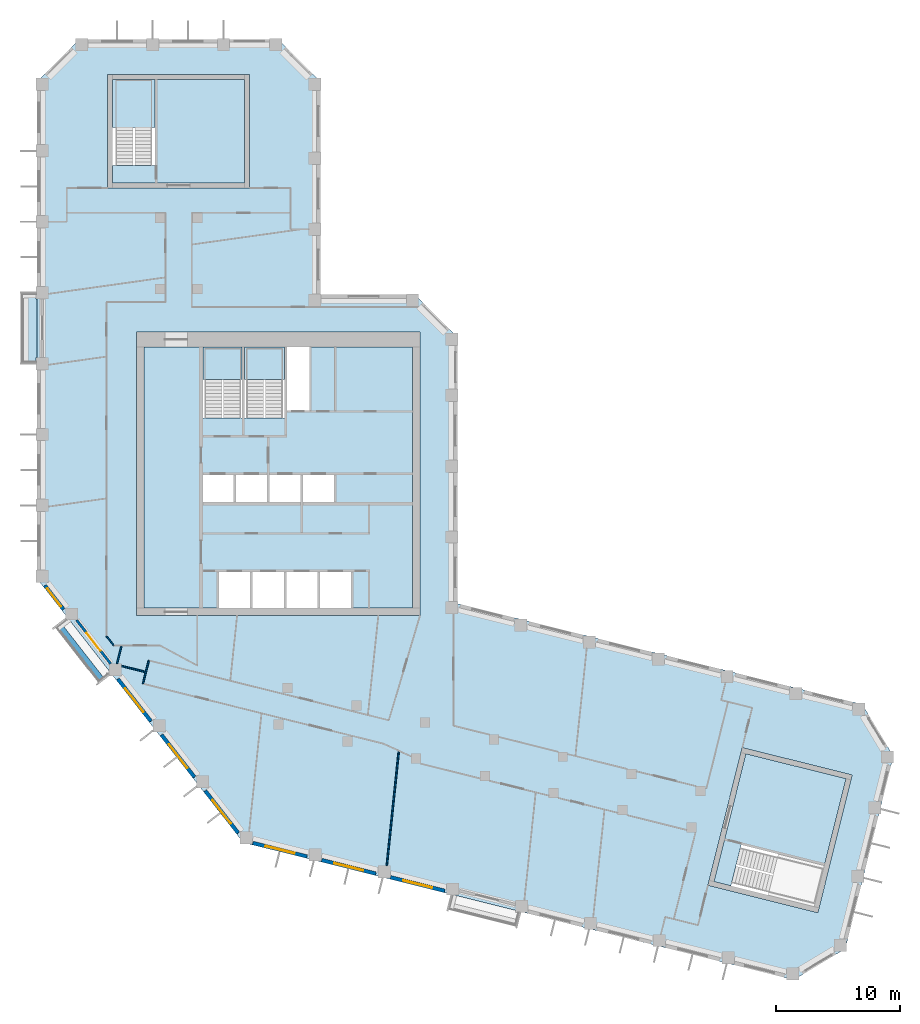
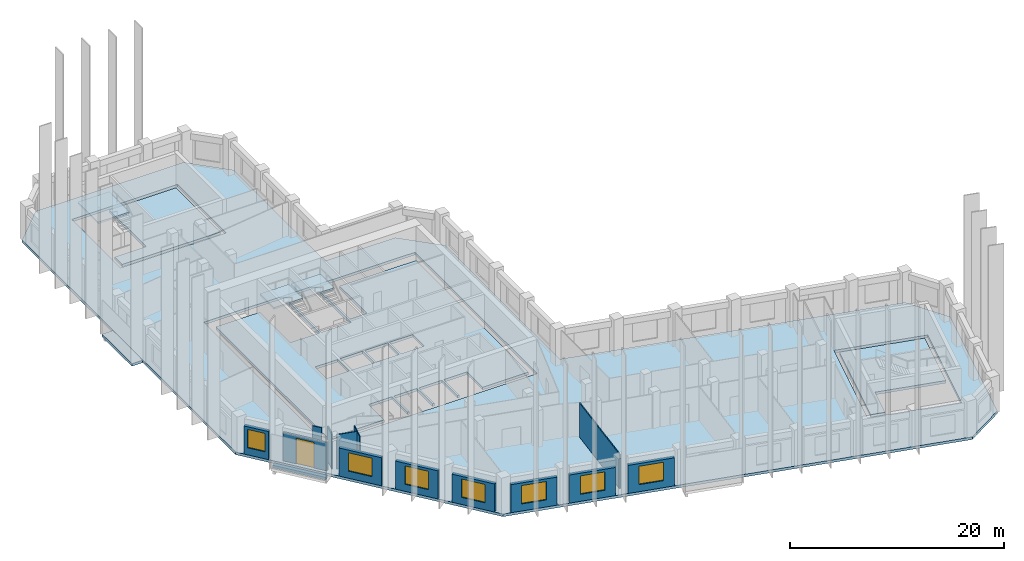
# One storey, part 2 of 9: 14 walls, 8 slabs, 7 windows, 1 door, 8 openings, 3 elements without a shape of their own.
"""IFC4 building model written with IfcOpenShell, lengths in metres."""

from ifc_helpers import new_model, si_unit, direction, frame, frame_2d, origin, place, context, subcontext, project, spatial, polyline, rectangle, outline, extrude, material, layer, layer_set, type_object, element, fill, aggregate, save


model = new_model("IFC4")

# Units and contexts
model_context = context("Model", 3, precision=1e-05, world=origin(), true_north=direction((0.0, 1.0)))
body_context = subcontext(model_context, "Body", "Model", "MODEL_VIEW")
ifc_project = project(units=[si_unit("LENGTHUNIT", "METRE"), si_unit("AREAUNIT", "SQUARE_METRE"), si_unit("VOLUMEUNIT", "CUBIC_METRE"), si_unit("PLANEANGLEUNIT", "RADIAN"), si_unit("MASSUNIT", "GRAM", prefix="KILO")], contexts=[model_context])

# Site, building, storey
site_placement = place(None, origin())
site = spatial("IfcSite", under=ifc_project, at=site_placement, CompositionType="ELEMENT")
building_placement = place(site_placement, origin())
building = spatial("IfcBuilding", under=site, at=building_placement, Name="Meshkara Civic Tower", CompositionType="ELEMENT")
storey_placement = place(building_placement, frame((0.0, 0.0, 323.39990234375)))
storey = spatial("IfcBuildingStorey", under=building, at=storey_placement, Name="L74", CompositionType="ELEMENT", Elevation=323.39990234375)

# Slabs
ifc_material_1 = material(Name="Concrete C40", Category="concrete")
ifc_layer_1 = layer(ifc_material_1, 0.300048828125)
ifc_layer_set_1 = layer_set([ifc_layer_1], Name="BALCONY SLAB")
slab_type_1 = type_object("IfcSlabType", Name="BALCONY SLAB", PredefinedType="FLOOR", material=ifc_layer_set_1)
slab_1_placement = place(storey_placement, frame((0.0, 0.0, -0.2998046875)))
element("IfcSlab", 1, at=slab_1_placement, inside=storey, type_object=slab_type_1, Name="Balcony slab", PredefinedType="FLOOR", context=body_context, shape_type="SweptSolid", body=[
    extrude(outline(polyline([(-1.199951171875, 34.4150390625), (-1.199951171875, 39.9951171875), (-0.050048828125, 39.9951171875), (-0.050048828125, 39.554931640625), (0.0, 39.554931640625), (0.0, 34.85498046875), (-0.050048828125, 34.85498046875), (-0.050048828125, 34.4150390625), (-1.199951171875, 34.4150390625)])), origin(), (0.0, 0.0, 1.0), 0.2998046875),
])
ifc_material_2 = material(Name="Concrete C40/50", Category="concrete")
ifc_layer_2 = layer(ifc_material_2, 0.300048828125)
ifc_layer_set_2 = layer_set([ifc_layer_2], Name="Core floor slab 300 C40/50")
slab_type_2 = type_object("IfcSlabType", Name="Core floor slab 300 C40/50", PredefinedType="FLOOR", material=ifc_layer_set_2)
slab_2_placement = place(storey_placement, frame((0.0, 0.0, -0.2998046875)))
element("IfcSlab", 2, at=slab_2_placement, inside=storey, type_object=slab_type_2, Name="Core floor K", PredefinedType="FLOOR", context=body_context, shape_type="SweptSolid", body=[
    extrude(outline(polyline([(8.60009765625, 35.699951171875), (13.35009765625, 35.699951171875), (13.35009765625, 30.00146484375), (16.5, 30.00146484375), (16.5, 35.699951171875), (16.699951171875, 35.699951171875), (16.699951171875, 30.00146484375), (19.89990234375, 30.00146484375), (19.89990234375, 35.699951171875), (20.10009765625, 35.699951171875), (20.10009765625, 30.574951171875), (21.925048828125, 30.574951171875), (21.925048828125, 35.699951171875), (30.199951171875, 35.699951171875), (30.199951171875, 14.699951171875), (25.25, 14.699951171875), (25.25, 17.60009765625), (22.75, 17.60009765625), (22.75, 14.699951171875), (22.550048828125, 14.699951171875), (22.550048828125, 17.60009765625), (20.050048828125, 17.60009765625), (20.050048828125, 14.699951171875), (19.85009765625, 14.699951171875), (19.85009765625, 17.60009765625), (17.35009765625, 17.60009765625), (17.35009765625, 14.699951171875), (17.14990234375, 14.699951171875), (17.14990234375, 17.60009765625), (14.64990234375, 17.60009765625), (14.64990234375, 14.699951171875), (8.60009765625, 14.699951171875), (8.60009765625, 35.699951171875)]), holes=[polyline([(13.35009765625, 23.25), (15.800048828125, 23.25), (15.800048828125, 25.39990234375), (13.35009765625, 25.39990234375), (13.35009765625, 23.25)]), polyline([(18.5, 23.25), (18.5, 25.39990234375), (16.0, 25.39990234375), (16.0, 23.25), (18.5, 23.25)]), polyline([(18.699951171875, 23.25), (21.199951171875, 23.25), (21.199951171875, 25.39990234375), (18.699951171875, 25.39990234375), (18.699951171875, 23.25)]), polyline([(21.39990234375, 23.25), (23.89990234375, 23.25), (23.89990234375, 25.39990234375), (21.39990234375, 25.39990234375), (21.39990234375, 23.25)])]), origin(), (0.0, 0.0, 1.0), 0.2998046875),
])
slab_3_placement = place(storey_placement, frame((0.0, 0.0, -0.2998046875)))
element("IfcSlab", 3, at=slab_3_placement, inside=storey, type_object=slab_type_2, Name="Core floor EA", PredefinedType="FLOOR", context=body_context, shape_type="SweptSolid", body=[
    extrude(outline(polyline([(16.699951171875, 48.8701171875), (16.699951171875, 57.169921875), (9.5, 57.169921875), (9.5, 50.271484375), (6.10009765625, 50.271484375), (6.10009765625, 48.8701171875), (16.699951171875, 48.8701171875)])), origin(), (0.0, 0.0, 1.0), 0.2998046875),
])
slab_4_placement = place(storey_placement, frame((0.0, 0.0, -0.2998046875)))
element("IfcSlab", 4, at=slab_4_placement, inside=storey, type_object=slab_type_2, Name="Core floor EB", PredefinedType="FLOOR", context=body_context, shape_type="SweptSolid", body=[
    extrude(outline(polyline([(56.989013671875, 3.002197265625), (65.04248046875, 0.994384765625), (63.30078125, -5.99169921875), (56.607177734375, -4.322998046875), (55.78466796875, -7.621826171875), (54.4248046875, -7.282958984375), (56.989013671875, 3.002197265625)])), origin(), (0.0, 0.0, 1.0), 0.2998046875),
])

# Stair, slab
ifc_material_3 = material(Name="Precast concrete C40/50", Category="concrete")
stair_type = type_object("IfcStairType", Name="Exit stair half-turn 24 risers precast", PredefinedType="HALF_TURN_STAIR", material=ifc_material_3)
stair_1_placement = place(storey_placement, origin())
stair_1 = element("IfcStair", 5, at=stair_1_placement, inside=storey, type_object=stair_type, Name="L74 exit stair 1", PredefinedType="HALF_TURN_STAIR")
ifc_material_4 = material(Name="Precast concrete C40/50", Category="concrete")
ifc_layer_3 = layer(ifc_material_4, 0.199951171875)
ifc_layer_set_3 = layer_set([ifc_layer_3], Name="Exit stair landing 200")
slab_type_3 = type_object("IfcSlabType", Name="Exit stair landing 200", PredefinedType="LANDING", material=ifc_layer_set_3)
slab_5_placement = place(storey_placement, frame((0.0, 0.0, 1.900146484375)))
slab_5 = element("IfcSlab", 6, at=slab_5_placement, type_object=slab_type_3, Name="ST1 landing 1", PredefinedType="LANDING", context=body_context, shape_type="SweptSolid", body=[
    extrude(outline(polyline([(16.5, 33.07861328125), (16.5, 35.699951171875), (13.35009765625, 35.699951171875), (13.35009765625, 33.07861328125), (16.5, 33.07861328125)])), origin(), (0.0, 0.0, 1.0), 0.199951171875),
])
aggregate(stair_1, [slab_5])

stair_2_placement = place(storey_placement, origin())
stair_2 = element("IfcStair", 7, at=stair_2_placement, inside=storey, type_object=stair_type, Name="L74 exit stair 2", PredefinedType="HALF_TURN_STAIR")
slab_6_placement = place(storey_placement, frame((0.0, 0.0, 1.900146484375)))
slab_6 = element("IfcSlab", 8, at=slab_6_placement, type_object=slab_type_3, Name="ST2 landing 1", PredefinedType="LANDING", context=body_context, shape_type="SweptSolid", body=[
    extrude(outline(polyline([(19.89990234375, 33.07861328125), (19.89990234375, 35.699951171875), (16.699951171875, 35.699951171875), (16.699951171875, 33.07861328125), (19.89990234375, 33.07861328125)])), origin(), (0.0, 0.0, 1.0), 0.199951171875),
])
aggregate(stair_2, [slab_6])

stair_3_placement = place(storey_placement, origin())
stair_3 = element("IfcStair", 9, at=stair_3_placement, inside=storey, type_object=stair_type, Name="L74 exit stair A from L65", PredefinedType="HALF_TURN_STAIR")
slab_7_placement = place(storey_placement, frame((0.0, 0.0, 1.900146484375)))
slab_7 = element("IfcSlab", 10, at=slab_7_placement, type_object=slab_type_3, Name="ESA5 landing 1", PredefinedType="LANDING", context=body_context, shape_type="SweptSolid", body=[
    extrude(outline(polyline([(9.5, 53.348388671875), (9.5, 57.169921875), (6.10009765625, 57.169921875), (6.10009765625, 53.348388671875), (9.5, 53.348388671875)])), origin(), (0.0, 0.0, 1.0), 0.199951171875),
])
aggregate(stair_3, [slab_7])

# Slab
ifc_material_5 = material(Name="Concrete C50", Category="concrete")
ifc_layer_4 = layer(ifc_material_5, 0.300048828125)
ifc_layer_set_4 = layer_set([ifc_layer_4], Name="Post-tensioned flat slab 300 C50")
slab_type_4 = type_object("IfcSlabType", Name="Post-tensioned flat slab 300 C50", PredefinedType="FLOOR", material=ifc_layer_set_4)
slab_8_placement = place(storey_placement, frame((0.0, 0.0, -0.2998046875)))
element("IfcSlab", 11, at=slab_8_placement, inside=storey, type_object=slab_type_4, Name="Post-tensioned flat slab L74", PredefinedType="FLOOR", context=body_context, shape_type="SweptSolid", body=[
    extrude(outline(polyline([(64.98291015625, -12.677001953125), (60.837890625, -15.1689453125), (16.592041015625, -4.136962890625), (0.0, 17.10009765625), (0.0, 57.0), (3.419921875, 60.419921875), (19.3798828125, 60.419921875), (22.800048828125, 57.0), (22.800048828125, 39.89990234375), (30.3798828125, 39.89990234375), (33.800048828125, 36.47998046875), (33.800048828125, 15.071044921875), (66.35302734375, 6.9541015625), (68.843994140625, 2.80810546875), (64.98291015625, -12.677001953125)]), holes=[polyline([(62.77001953125, -9.77587890625), (65.527099609375, 1.285888671875), (56.697998046875, 3.487060546875), (53.93994140625, -7.573974609375), (62.77001953125, -9.77587890625)]), polyline([(8.0, 14.10009765625), (30.800048828125, 14.10009765625), (30.800048828125, 36.89990234375), (8.0, 36.89990234375), (8.0, 14.10009765625)]), polyline([(5.699951171875, 57.570068359375), (5.699951171875, 48.469970703125), (17.10009765625, 48.469970703125), (17.10009765625, 57.570068359375), (5.699951171875, 57.570068359375)])]), origin(), (0.0, 0.0, 1.0), 0.2998046875),
])

# Walls
ifc_material_6 = material(Name="Corridor wall 100")
ifc_layer_5 = layer(ifc_material_6, 0.10009765625)
ifc_layer_set_5 = layer_set([ifc_layer_5], Name="Corridor wall 100")
wall_type_1 = type_object("IfcWallType", Name="Corridor wall 100", PredefinedType="PARTITIONING", material=ifc_layer_set_5)
wall_1_placement = place(storey_placement, frame((5.60009765625, 12.449951171875, 0.0), z_axis=(0.0, 0.0, 1.0), x_axis=(0.615644041972, -0.788024373725, 0.0)))
element("IfcWall", 12, at=wall_1_placement, inside=storey, type_object=wall_type_1, Name="L74-W004", PredefinedType="PARTITIONING", context=body_context, shape_type="SweptSolid", body=[
    extrude(rectangle(XDim=0.95166015625, YDim=0.10009765625, at=frame_2d((0.475830078125, 0.0))), origin(), (0.0, 0.0, 1.0), 3.900146484375),
])
wall_2_placement = place(storey_placement, frame((9.001953125, 10.4990234375, 0.0), z_axis=(0.0, 0.0, 1.0), x_axis=(-0.241940418317, -0.970291107856, 0.0)))
element("IfcWall", 13, at=wall_2_placement, inside=storey, type_object=wall_type_1, Name="L74-W009", PredefinedType="PARTITIONING", context=body_context, shape_type="SweptSolid", body=[
    extrude(rectangle(XDim=1.930419921875, YDim=0.10009765625, at=frame_2d((0.96533203125, 0.0))), origin(), (0.0, 0.0, 1.0), 3.900146484375),
])

# Wall, opening, window
ifc_material_7 = material(Name="Insulated infill panel with bronze anodised aluminium cladding", Category="aluminium")
ifc_layer_6 = layer(ifc_material_7, 0.300048828125)
ifc_layer_set_6 = layer_set([ifc_layer_6], Name="EXTERNAL INFILL WALL 300")
wall_type_2 = type_object("IfcWallType", Name="EXTERNAL INFILL WALL 300", PredefinedType="SOLIDWALL", material=ifc_layer_set_6)
wall_3_placement = place(storey_placement, frame((0.64599609375, 16.51708984375, 0.0), z_axis=(0.0, 0.0, 1.0), x_axis=(0.615610986717, -0.788050197026, 0.0)))
wall_3 = element("IfcWall", 14, at=wall_3_placement, inside=storey, type_object=wall_type_2, Name="External wall", PredefinedType="SOLIDWALL", context=body_context, shape_type="SweptSolid", body=[
    extrude(rectangle(XDim=2.4365234375, YDim=0.300048828125, at=frame_2d((1.21826171875, 0.0))), origin(), (0.0, 0.0, 1.0), 3.2001953125),
])
opening_1_placement = place(wall_3_placement, frame((0.318115234375, 0.0, 0.800048828125)))
opening_1 = element("IfcOpeningElement", 15, at=opening_1_placement, cuts=wall_3, Name="Opening W9", PredefinedType="OPENING", context=body_context, shape_type="SweptSolid", body=[
    extrude(rectangle(XDim=1.800048828125, YDim=2.10009765625, at=frame_2d((0.89990234375, 1.050048828125))), frame((0.0, 0.159912109375, 0.0), z_axis=(0.0, -1.0, 0.0), x_axis=(1.0, 0.0, 0.0)), (0.0, 0.0, 1.0), 0.320068359375),
])
ifc_material_8 = material(Name="Tinted double glazing", Category="glass")
window_type_1 = type_object("IfcWindowType", Name="WINDOW 1800x2100", PartitioningType="DOUBLE_PANEL_VERTICAL", PredefinedType="WINDOW", material=ifc_material_8)
window_1_placement = place(opening_1_placement, origin())
window_1 = element("IfcWindow", 16, at=window_1_placement, inside=storey, type_object=window_type_1, Name="Window", OverallHeight=2.10009765625, OverallWidth=1.800048828125, PartitioningType="DOUBLE_PANEL_VERTICAL", PredefinedType="WINDOW", context=body_context, shape_type="SweptSolid", body=[
    extrude(rectangle(XDim=1.800048828125, YDim=2.10009765625, at=frame_2d((0.89990234375, 1.050048828125))), frame((0.0, 0.030029296875, 0.0), z_axis=(0.0, -1.0, 0.0), x_axis=(1.0, 0.0, 0.0)), (0.0, 0.0, 1.0), 0.06005859375),
])
fill(opening_1, window_1)

wall_4_placement = place(storey_placement, frame((6.51904296875, 9.0, 0.0), z_axis=(0.0, 0.0, 1.0), x_axis=(0.615634121154, -0.788032124263, 0.0)))
wall_4 = element("IfcWall", 17, at=wall_4_placement, inside=storey, type_object=wall_type_2, Name="External wall", PredefinedType="SOLIDWALL", context=body_context, shape_type="SweptSolid", body=[
    extrude(rectangle(XDim=4.298095703125, YDim=0.300048828125, at=frame_2d((2.14892578125, 0.0))), origin(), (0.0, 0.0, 1.0), 3.2001953125),
])
opening_2_placement = place(wall_4_placement, frame((0.948974609375, 0.0, 0.800048828125)))
opening_2 = element("IfcOpeningElement", 18, at=opening_2_placement, cuts=wall_4, Name="Opening W7", PredefinedType="OPENING", context=body_context, shape_type="SweptSolid", body=[
    extrude(rectangle(XDim=2.39990234375, YDim=2.10009765625, at=frame_2d((1.199951171875, 1.050048828125))), frame((0.0, 0.159912109375, 0.0), z_axis=(0.0, -1.0, 0.0), x_axis=(1.0, 0.0, 0.0)), (0.0, 0.0, 1.0), 0.320068359375),
])
ifc_material_9 = material(Name="Tinted double glazing", Category="glass")
window_type_2 = type_object("IfcWindowType", Name="WINDOW 2400x2100", PartitioningType="DOUBLE_PANEL_VERTICAL", PredefinedType="WINDOW", material=ifc_material_9)
window_2_placement = place(opening_2_placement, origin())
window_2 = element("IfcWindow", 19, at=window_2_placement, inside=storey, type_object=window_type_2, Name="Window", OverallHeight=2.10009765625, OverallWidth=2.39990234375, PartitioningType="DOUBLE_PANEL_VERTICAL", PredefinedType="WINDOW", context=body_context, shape_type="SweptSolid", body=[
    extrude(rectangle(XDim=2.39990234375, YDim=2.10009765625, at=frame_2d((1.199951171875, 1.050048828125))), frame((0.0, 0.030029296875, 0.0), z_axis=(0.0, -1.0, 0.0), x_axis=(1.0, 0.0, 0.0)), (0.0, 0.0, 1.0), 0.06005859375),
])
fill(opening_2, window_2)

wall_5_placement = place(storey_placement, frame((10.029052734375, 4.507080078125, 0.0), z_axis=(0.0, 0.0, 1.0), x_axis=(0.615572343689, -0.788080382756, 0.0)))
wall_5 = element("IfcWall", 20, at=wall_5_placement, inside=storey, type_object=wall_type_2, Name="External wall", PredefinedType="SOLIDWALL", context=body_context, shape_type="SweptSolid", body=[
    extrude(rectangle(XDim=4.295166015625, YDim=0.300048828125, at=frame_2d((2.1474609375, 0.0))), origin(), (0.0, 0.0, 1.0), 3.2001953125),
])
opening_3_placement = place(wall_5_placement, frame((0.947998046875, 0.0, 0.800048828125)))
opening_3 = element("IfcOpeningElement", 21, at=opening_3_placement, cuts=wall_5, Name="Opening W7", PredefinedType="OPENING", context=body_context, shape_type="SweptSolid", body=[
    extrude(rectangle(XDim=2.39990234375, YDim=2.10009765625, at=frame_2d((1.199951171875, 1.050048828125))), frame((0.0, 0.159912109375, 0.0), z_axis=(0.0, -1.0, 0.0), x_axis=(1.0, 0.0, 0.0)), (0.0, 0.0, 1.0), 0.320068359375),
])
window_3_placement = place(opening_3_placement, origin())
window_3 = element("IfcWindow", 22, at=window_3_placement, inside=storey, type_object=window_type_2, Name="Window", OverallHeight=2.10009765625, OverallWidth=2.39990234375, PartitioningType="DOUBLE_PANEL_VERTICAL", PredefinedType="WINDOW", context=body_context, shape_type="SweptSolid", body=[
    extrude(rectangle(XDim=2.39990234375, YDim=2.10009765625, at=frame_2d((1.199951171875, 1.050048828125))), frame((0.0, 0.030029296875, 0.0), z_axis=(0.0, -1.0, 0.0), x_axis=(1.0, 0.0, 0.0)), (0.0, 0.0, 1.0), 0.06005859375),
])
fill(opening_3, window_3)

wall_6_placement = place(storey_placement, frame((13.5380859375, 0.01611328125, 0.0), z_axis=(0.0, 0.0, 1.0), x_axis=(0.615713519567, -0.787970089421, 0.0)))
wall_6 = element("IfcWall", 23, at=wall_6_placement, inside=storey, type_object=wall_type_2, Name="External wall", PredefinedType="SOLIDWALL", context=body_context, shape_type="SweptSolid", body=[
    extrude(rectangle(XDim=4.2958984375, YDim=0.300048828125, at=frame_2d((2.14794921875, 0.0))), origin(), (0.0, 0.0, 1.0), 3.2001953125),
])
opening_4_placement = place(wall_6_placement, frame((0.947998046875, 0.0, 0.800048828125)))
opening_4 = element("IfcOpeningElement", 24, at=opening_4_placement, cuts=wall_6, Name="Opening W7", PredefinedType="OPENING", context=body_context, shape_type="SweptSolid", body=[
    extrude(rectangle(XDim=2.39990234375, YDim=2.10009765625, at=frame_2d((1.199951171875, 1.050048828125))), frame((0.0, 0.159912109375, 0.0), z_axis=(0.0, -1.0, 0.0), x_axis=(1.0, 0.0, 0.0)), (0.0, 0.0, 1.0), 0.320068359375),
])
window_4_placement = place(opening_4_placement, origin())
window_4 = element("IfcWindow", 25, at=window_4_placement, inside=storey, type_object=window_type_2, Name="Window", OverallHeight=2.10009765625, OverallWidth=2.39990234375, PartitioningType="DOUBLE_PANEL_VERTICAL", PredefinedType="WINDOW", context=body_context, shape_type="SweptSolid", body=[
    extrude(rectangle(XDim=2.39990234375, YDim=2.10009765625, at=frame_2d((1.199951171875, 1.050048828125))), frame((0.0, 0.030029296875, 0.0), z_axis=(0.0, -1.0, 0.0), x_axis=(1.0, 0.0, 0.0)), (0.0, 0.0, 1.0), 0.06005859375),
])
fill(opening_4, window_4)

wall_7_placement = place(storey_placement, frame((17.366943359375, -4.176025390625, 0.0), z_axis=(0.0, 0.0, 1.0), x_axis=(0.970327846266, -0.241793032904, 0.0)))
wall_7 = element("IfcWall", 26, at=wall_7_placement, inside=storey, type_object=wall_type_2, Name="External wall", PredefinedType="SOLIDWALL", context=body_context, shape_type="SweptSolid", body=[
    extrude(rectangle(XDim=4.487060546875, YDim=0.300048828125, at=frame_2d((2.24365234375, 0.0))), origin(), (0.0, 0.0, 1.0), 3.2001953125),
])
opening_5_placement = place(wall_7_placement, frame((1.0439453125, 0.0, 0.800048828125)))
opening_5 = element("IfcOpeningElement", 27, at=opening_5_placement, cuts=wall_7, Name="Opening W7", PredefinedType="OPENING", context=body_context, shape_type="SweptSolid", body=[
    extrude(rectangle(XDim=2.39990234375, YDim=2.10009765625, at=frame_2d((1.199951171875, 1.050048828125))), frame((0.0, 0.159912109375, 0.0), z_axis=(0.0, -1.0, 0.0), x_axis=(1.0, 0.0, 0.0)), (0.0, 0.0, 1.0), 0.320068359375),
])
window_5_placement = place(opening_5_placement, origin())
window_5 = element("IfcWindow", 28, at=window_5_placement, inside=storey, type_object=window_type_2, Name="Window", OverallHeight=2.10009765625, OverallWidth=2.39990234375, PartitioningType="DOUBLE_PANEL_VERTICAL", PredefinedType="WINDOW", context=body_context, shape_type="SweptSolid", body=[
    extrude(rectangle(XDim=2.39990234375, YDim=2.10009765625, at=frame_2d((1.199951171875, 1.050048828125))), frame((0.0, 0.030029296875, 0.0), z_axis=(0.0, -1.0, 0.0), x_axis=(1.0, 0.0, 0.0)), (0.0, 0.0, 1.0), 0.06005859375),
])
fill(opening_5, window_5)

wall_8_placement = place(storey_placement, frame((22.89794921875, -5.554931640625, 0.0), z_axis=(0.0, 0.0, 1.0), x_axis=(0.970315118421, -0.24184410467, 0.0)))
wall_8 = element("IfcWall", 29, at=wall_8_placement, inside=storey, type_object=wall_type_2, Name="External wall", PredefinedType="SOLIDWALL", context=body_context, shape_type="SweptSolid", body=[
    extrude(rectangle(XDim=4.486083984375, YDim=0.300048828125, at=frame_2d((2.2431640625, 0.0))), origin(), (0.0, 0.0, 1.0), 3.2001953125),
])
opening_6_placement = place(wall_8_placement, frame((1.0439453125, 0.0, 0.800048828125)))
opening_6 = element("IfcOpeningElement", 30, at=opening_6_placement, cuts=wall_8, Name="Opening W7", PredefinedType="OPENING", context=body_context, shape_type="SweptSolid", body=[
    extrude(rectangle(XDim=2.39990234375, YDim=2.10009765625, at=frame_2d((1.199951171875, 1.050048828125))), frame((0.0, 0.159912109375, 0.0), z_axis=(0.0, -1.0, 0.0), x_axis=(1.0, 0.0, 0.0)), (0.0, 0.0, 1.0), 0.320068359375),
])
window_6_placement = place(opening_6_placement, origin())
window_6 = element("IfcWindow", 31, at=window_6_placement, inside=storey, type_object=window_type_2, Name="Window", OverallHeight=2.10009765625, OverallWidth=2.39990234375, PartitioningType="DOUBLE_PANEL_VERTICAL", PredefinedType="WINDOW", context=body_context, shape_type="SweptSolid", body=[
    extrude(rectangle(XDim=2.39990234375, YDim=2.10009765625, at=frame_2d((1.199951171875, 1.050048828125))), frame((0.0, 0.030029296875, 0.0), z_axis=(0.0, -1.0, 0.0), x_axis=(1.0, 0.0, 0.0)), (0.0, 0.0, 1.0), 0.06005859375),
])
fill(opening_6, window_6)

wall_9_placement = place(storey_placement, frame((28.427978515625, -6.93310546875, 0.0), z_axis=(0.0, 0.0, 1.0), x_axis=(0.970276766004, -0.241997928406, 0.0)))
wall_9 = element("IfcWall", 32, at=wall_9_placement, inside=storey, type_object=wall_type_2, Name="External wall", PredefinedType="SOLIDWALL", context=body_context, shape_type="SweptSolid", body=[
    extrude(rectangle(XDim=4.4873046875, YDim=0.300048828125, at=frame_2d((2.24365234375, 0.0))), origin(), (0.0, 0.0, 1.0), 3.2001953125),
])
opening_7_placement = place(wall_9_placement, frame((1.0439453125, 0.0, 0.800048828125)))
opening_7 = element("IfcOpeningElement", 33, at=opening_7_placement, cuts=wall_9, Name="Opening W7", PredefinedType="OPENING", context=body_context, shape_type="SweptSolid", body=[
    extrude(rectangle(XDim=2.39990234375, YDim=2.10009765625, at=frame_2d((1.199951171875, 1.050048828125))), frame((0.0, 0.159912109375, 0.0), z_axis=(0.0, -1.0, 0.0), x_axis=(1.0, 0.0, 0.0)), (0.0, 0.0, 1.0), 0.320068359375),
])
window_7_placement = place(opening_7_placement, origin())
window_7 = element("IfcWindow", 34, at=window_7_placement, inside=storey, type_object=window_type_2, Name="Window", OverallHeight=2.10009765625, OverallWidth=2.39990234375, PartitioningType="DOUBLE_PANEL_VERTICAL", PredefinedType="WINDOW", context=body_context, shape_type="SweptSolid", body=[
    extrude(rectangle(XDim=2.39990234375, YDim=2.10009765625, at=frame_2d((1.199951171875, 1.050048828125))), frame((0.0, 0.030029296875, 0.0), z_axis=(0.0, -1.0, 0.0), x_axis=(1.0, 0.0, 0.0)), (0.0, 0.0, 1.0), 0.06005859375),
])
fill(opening_7, window_7)

# Wall, opening, door
ifc_material_10 = material(Name="Insulated infill panel with bronze anodised aluminium cladding", Category="aluminium")
ifc_layer_7 = layer(ifc_material_10, 0.199951171875)
ifc_layer_set_7 = layer_set([ifc_layer_7], Name="LOGGIA BACK WALL 200")
wall_type_3 = type_object("IfcWallType", Name="LOGGIA BACK WALL 200", PredefinedType="SOLIDWALL", material=ifc_layer_set_7)
wall_10_placement = place(storey_placement, frame((3.205078125, 13.72900390625, 0.0), z_axis=(0.0, 0.0, 1.0), x_axis=(0.615636557784, -0.788030220689, 0.0)))
wall_10 = element("IfcWall", 35, at=wall_10_placement, inside=storey, type_object=wall_type_3, Name="Loggia wall", PredefinedType="SOLIDWALL", context=body_context, shape_type="SweptSolid", body=[
    extrude(rectangle(XDim=4.43115234375, YDim=0.199951171875, at=frame_2d((2.215576171875, 0.0))), origin(), (0.0, 0.0, 1.0), 3.2001953125),
])
opening_8_placement = place(wall_10_placement, frame((1.31494140625, 0.0, 0.0)))
opening_8 = element("IfcOpeningElement", 36, at=opening_8_placement, cuts=wall_10, Name="Opening L74-L002", PredefinedType="OPENING", context=body_context, shape_type="SweptSolid", body=[
    extrude(rectangle(XDim=1.800048828125, YDim=2.89990234375, at=frame_2d((0.89990234375, 1.449951171875))), frame((0.0, 0.10986328125, 0.0), z_axis=(0.0, -1.0, 0.0), x_axis=(1.0, 0.0, 0.0)), (0.0, 0.0, 1.0), 0.219970703125),
])
ifc_material_11 = material(Name="Tinted double glazing", Category="glass")
door_type = type_object("IfcDoorType", Name="LOGGIA DOOR 1800x2900", OperationType="DOUBLE_DOOR_SINGLE_SWING", PredefinedType="DOOR", material=ifc_material_11)
door_placement = place(opening_8_placement, origin())
door = element("IfcDoor", 37, at=door_placement, inside=storey, type_object=door_type, Name="L74-L002", OperationType="DOUBLE_DOOR_SINGLE_SWING", OverallHeight=2.89990234375, OverallWidth=1.800048828125, PredefinedType="DOOR", context=body_context, shape_type="SweptSolid", body=[
    extrude(rectangle(XDim=1.800048828125, YDim=2.89990234375, at=frame_2d((0.89990234375, 1.449951171875))), frame((0.0, 0.02490234375, 0.0), z_axis=(0.0, -1.0, 0.0), x_axis=(1.0, 0.0, 0.0)), (0.0, 0.0, 1.0), 0.050048828125),
])
fill(opening_8, door)

# Walls
ifc_material_12 = material(Name="Concrete C40", Category="concrete")
ifc_layer_8 = layer(ifc_material_12, 0.39990234375)
ifc_layer_set_8 = layer_set([ifc_layer_8], Name="PLANTER TRAY")
wall_type_4 = type_object("IfcWallType", Name="PLANTER TRAY", PredefinedType="SOLIDWALL", material=ifc_layer_set_8)
wall_11_placement = place(storey_placement, frame((1.87109375, 13.27587890625, 0.0), z_axis=(0.0, 0.0, 1.0), x_axis=(0.615632551218, -0.788033350741, 0.0)))
element("IfcWall", 38, at=wall_11_placement, inside=storey, type_object=wall_type_4, Name="Planter", PredefinedType="SOLIDWALL", context=body_context, shape_type="SweptSolid", body=[
    extrude(rectangle(XDim=5.360107421875, YDim=0.39990234375, at=frame_2d((2.68017578125, 0.0))), origin(), (0.0, 0.0, 1.0), 0.300048828125),
])
ifc_material_13 = material(Name="Partition 100")
ifc_layer_9 = layer(ifc_material_13, 0.10009765625)
ifc_layer_set_9 = layer_set([ifc_layer_9], Name="Partition 100")
wall_type_5 = type_object("IfcWallType", Name="Partition 100", PredefinedType="PARTITIONING", material=ifc_layer_set_9)
wall_12_placement = place(storey_placement, frame((6.797119140625, 11.637939453125, 0.0), z_axis=(0.0, 0.0, 1.0), x_axis=(-0.242456058691, -0.970162388265, 0.0)))
element("IfcWall", 39, at=wall_12_placement, inside=storey, type_object=wall_type_5, Name="L74-W040", PredefinedType="PARTITIONING", context=body_context, shape_type="SweptSolid", body=[
    extrude(rectangle(XDim=1.44384765625, YDim=0.10009765625, at=frame_2d((0.721923828125, 0.0))), origin(), (0.0, 0.0, 1.0), 3.900146484375),
])
wall_13_placement = place(storey_placement, frame((8.719970703125, 9.574951171875, 0.0), z_axis=(0.0, 0.0, 1.0), x_axis=(-0.970274576003, 0.242006708918, 0.0)))
element("IfcWall", 40, at=wall_13_placement, inside=storey, type_object=wall_type_5, Name="L74-W041", PredefinedType="PARTITIONING", context=body_context, shape_type="SweptSolid", body=[
    extrude(rectangle(XDim=1.955078125, YDim=0.10009765625, at=frame_2d((0.9775390625, 0.0))), origin(), (0.0, 0.0, 1.0), 3.900146484375),
])
wall_14_placement = place(storey_placement, frame((28.126953125, -5.99609375, 0.0), z_axis=(0.0, 0.0, 1.0), x_axis=(0.104490376754, 0.994525897685, 0.0)))
element("IfcWall", 41, at=wall_14_placement, inside=storey, type_object=wall_type_5, Name="L74-W049", PredefinedType="PARTITIONING", context=body_context, shape_type="SweptSolid", body=[
    extrude(rectangle(XDim=9.217529296875, YDim=0.10009765625, at=frame_2d((4.60888671875, 0.0))), origin(), (0.0, 0.0, 1.0), 3.900146484375),
])

save(model, "model.ifc")
